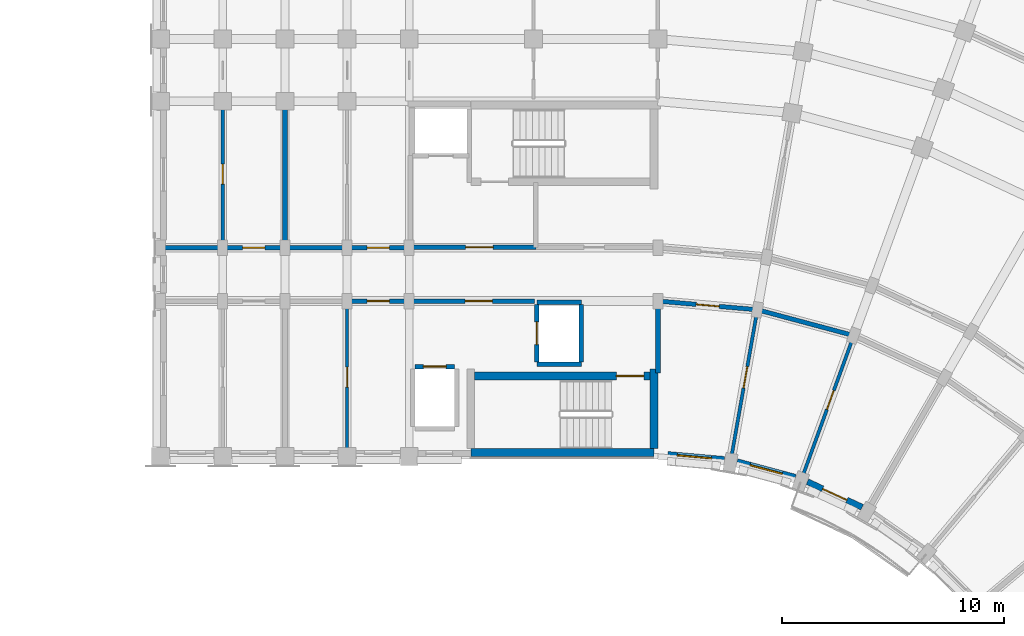
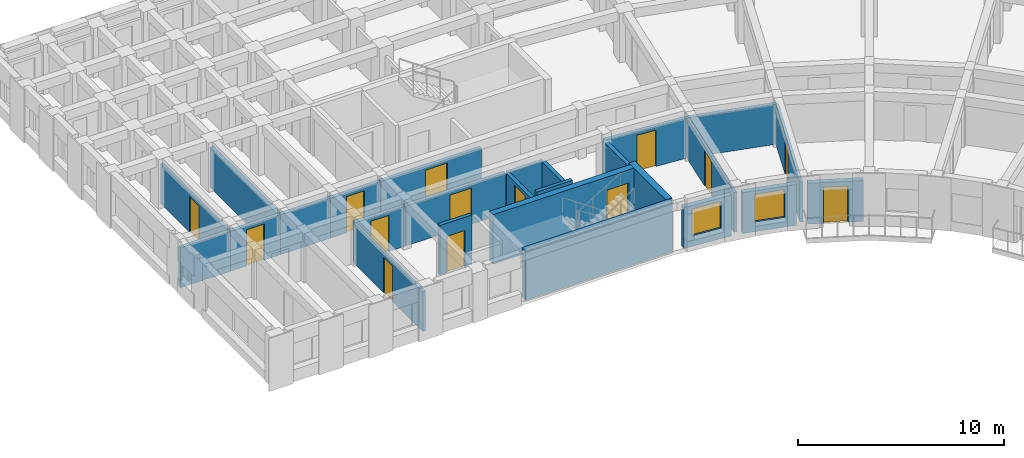
# One storey, part 29 of 54: 26 walls, 14 doors, 2 windows, 16 openings.
"""IFC4 building model written with IfcOpenShell, lengths in metres."""

from ifc_helpers import new_model, si_unit, direction, frame, frame_2d, origin, place, context, subcontext, project, spatial, rectangle, extrude, material, layer, layer_set, type_object, element, fill, save


model = new_model("IFC4")

# Units and contexts
model_context = context("Model", 3, precision=1e-05, world=origin(), true_north=direction((0.0, 1.0)))
body_context = subcontext(model_context, "Body", "Model", "MODEL_VIEW")
ifc_project = project(units=[si_unit("LENGTHUNIT", "METRE"), si_unit("AREAUNIT", "SQUARE_METRE"), si_unit("VOLUMEUNIT", "CUBIC_METRE"), si_unit("PLANEANGLEUNIT", "RADIAN"), si_unit("MASSUNIT", "GRAM", prefix="KILO")], contexts=[model_context])

# Site, building, storey
site_placement = place(None, origin())
site = spatial("IfcSite", under=ifc_project, at=site_placement, CompositionType="ELEMENT")
building_placement = place(site_placement, origin())
building = spatial("IfcBuilding", under=site, at=building_placement, Name="Kiranvali Square Residences", CompositionType="ELEMENT")
storey_placement = place(building_placement, frame((0.0, 0.0, 11.85009765625)))
storey = spatial("IfcBuildingStorey", under=building, at=storey_placement, Name="L03", CompositionType="ELEMENT", Elevation=11.85009765625)

# Wall, opening, door
ifc_material_1 = material(Name="Autoclaved aerated concrete blockwork masonry", Category="masonry")
ifc_layer_1 = layer(ifc_material_1, 0.199951171875)
ifc_layer_set_1 = layer_set([ifc_layer_1], Name="Autoclaved aerated concrete blockwork masonry")
wall_type_1 = type_object("IfcWallType", Name="WL-COR-200", PredefinedType="STANDARD", material=ifc_layer_set_1)
wall_1_placement = place(storey_placement, frame((114.25, 113.60009765625, 0.0), z_axis=(0.0, 0.0, 1.0), x_axis=(-1.0, 0.0, 0.0)))
wall_1 = element("IfcWall", 1, at=wall_1_placement, inside=storey, type_object=wall_type_1, Name="L03 architectural wall WL-L03-B-LL-COR", PredefinedType="STANDARD", context=body_context, shape_type="SweptSolid", body=[
    extrude(rectangle(XDim=5.60009765625, YDim=0.199951171875, at=frame_2d((2.800048828125, 0.0))), origin(), (0.0, 0.0, 1.0), 2.371826171875),
])
opening_1_placement = place(wall_1_placement, frame((1.909912109375, 0.0, 0.0)))
opening_1 = element("IfcOpeningElement", 2, at=opening_1_placement, cuts=wall_1, Name="Opening FD-COR-60", PredefinedType="OPENING", context=body_context, shape_type="SweptSolid", body=[
    extrude(rectangle(XDim=1.219970703125, YDim=2.14990234375, at=frame_2d((0.60986328125, 1.074951171875))), frame((0.0, 0.10986328125, 0.0), z_axis=(0.0, -1.0, 0.0), x_axis=(1.0, 0.0, 0.0)), (0.0, 0.0, 1.0), 0.219970703125),
])
ifc_material_2 = material(Name="Fire-rated acoustic hardwood and mineral-core door assembly", Category="wood")
door_type_1 = type_object("IfcDoorType", Name="DR-FD60-1200", OperationType="NOTDEFINED", PredefinedType="DOOR", material=ifc_material_2)
door_1_placement = place(opening_1_placement, frame((1.219970703125, 0.0, 0.0), z_axis=(0.0, 0.0, 1.0), x_axis=(-1.0, 0.0, 0.0)))
door_1 = element("IfcDoor", 3, at=door_1_placement, inside=storey, type_object=door_type_1, Name="L03 door DR-L03-1136 (DR-FD60-1200)", OperationType="SINGLE_SWING_RIGHT", OverallHeight=2.14990234375, OverallWidth=1.219970703125, PredefinedType="DOOR", context=body_context, shape_type="SweptSolid", body=[
    extrude(rectangle(XDim=1.219970703125, YDim=2.14990234375, at=frame_2d((0.60986328125, 1.074951171875))), frame((0.0, 0.02490234375, 0.0), z_axis=(0.0, -1.0, 0.0), x_axis=(1.0, 0.0, 0.0)), (0.0, 0.0, 1.0), 0.050048828125),
])
fill(opening_1, door_1)

wall_2_placement = place(storey_placement, frame((108.60009765625, 113.60009765625, 0.0), z_axis=(0.0, 0.0, 1.0), x_axis=(-1.0, 0.0, 0.0)))
wall_2 = element("IfcWall", 4, at=wall_2_placement, inside=storey, type_object=wall_type_1, Name="L03 architectural wall WL-L03-B-A1CI-0", PredefinedType="STANDARD", context=body_context, shape_type="SweptSolid", body=[
    extrude(rectangle(XDim=2.800048828125, YDim=0.199951171875, at=frame_2d((1.39990234375, 0.0))), origin(), (0.0, 0.0, 1.0), 2.371826171875),
])
opening_2_placement = place(wall_2_placement, frame((0.89990234375, 0.0, 0.0)))
opening_2 = element("IfcOpeningElement", 5, at=opening_2_placement, cuts=wall_2, Name="Opening FD-APT-60", PredefinedType="OPENING", context=body_context, shape_type="SweptSolid", body=[
    extrude(rectangle(XDim=1.0, YDim=2.14990234375, at=frame_2d((0.5, 1.074951171875))), frame((0.0, 0.10986328125, 0.0), z_axis=(0.0, -1.0, 0.0), x_axis=(1.0, 0.0, 0.0)), (0.0, 0.0, 1.0), 0.219970703125),
])
door_type_2 = type_object("IfcDoorType", Name="DR-APT-1000", OperationType="NOTDEFINED", PredefinedType="DOOR", material=ifc_material_2)
door_2_placement = place(opening_2_placement, frame((1.0, 0.0, 0.0), z_axis=(0.0, 0.0, 1.0), x_axis=(-1.0, 0.0, 0.0)))
door_2 = element("IfcDoor", 6, at=door_2_placement, inside=storey, type_object=door_type_2, Name="L03 door DR-L03-1140 (DR-APT-1000)", OperationType="SINGLE_SWING_RIGHT", OverallHeight=2.14990234375, OverallWidth=1.0, PredefinedType="DOOR", context=body_context, shape_type="SweptSolid", body=[
    extrude(rectangle(XDim=1.0, YDim=2.14990234375, at=frame_2d((0.5, 1.074951171875))), frame((0.0, 0.02490234375, 0.0), z_axis=(0.0, -1.0, 0.0), x_axis=(1.0, 0.0, 0.0)), (0.0, 0.0, 1.0), 0.050048828125),
])
fill(opening_2, door_2)

wall_3_placement = place(storey_placement, frame((108.60009765625, 116.0, 0.0), z_axis=(0.0, 0.0, 1.0), x_axis=(-1.0, 0.0, 0.0)))
wall_3 = element("IfcWall", 7, at=wall_3_placement, inside=storey, type_object=wall_type_1, Name="L03 architectural wall WL-L03-B-A1CO-0", PredefinedType="STANDARD", context=body_context, shape_type="SweptSolid", body=[
    extrude(rectangle(XDim=2.800048828125, YDim=0.199951171875, at=frame_2d((1.39990234375, 0.0))), origin(), (0.0, 0.0, 1.0), 2.371826171875),
])
opening_3_placement = place(wall_3_placement, frame((0.89990234375, 0.0, 0.0)))
opening_3 = element("IfcOpeningElement", 8, at=opening_3_placement, cuts=wall_3, Name="Opening FD-APT-60", PredefinedType="OPENING", context=body_context, shape_type="SweptSolid", body=[
    extrude(rectangle(XDim=1.0, YDim=2.14990234375, at=frame_2d((0.5, 1.074951171875))), frame((0.0, 0.10986328125, 0.0), z_axis=(0.0, -1.0, 0.0), x_axis=(1.0, 0.0, 0.0)), (0.0, 0.0, 1.0), 0.219970703125),
])
door_3_placement = place(opening_3_placement, frame((1.0, 0.0, 0.0), z_axis=(0.0, 0.0, 1.0), x_axis=(-1.0, 0.0, 0.0)))
door_3 = element("IfcDoor", 9, at=door_3_placement, inside=storey, type_object=door_type_2, Name="L03 door DR-L03-1142 (DR-APT-1000)", OperationType="SINGLE_SWING_RIGHT", OverallHeight=2.14990234375, OverallWidth=1.0, PredefinedType="DOOR", context=body_context, shape_type="SweptSolid", body=[
    extrude(rectangle(XDim=1.0, YDim=2.14990234375, at=frame_2d((0.5, 1.074951171875))), frame((0.0, 0.02490234375, 0.0), z_axis=(0.0, -1.0, 0.0), x_axis=(1.0, 0.0, 0.0)), (0.0, 0.0, 1.0), 0.050048828125),
])
fill(opening_3, door_3)

# Wall
wall_4_placement = place(storey_placement, frame((105.800048828125, 116.0, 0.0), z_axis=(0.0, 0.0, 1.0), x_axis=(-1.0, 0.0, 0.0)))
element("IfcWall", 10, at=wall_4_placement, inside=storey, type_object=wall_type_1, Name="L03 architectural wall WL-L03-B-A1CO-1", PredefinedType="STANDARD", context=body_context, shape_type="SweptSolid", body=[
    extrude(rectangle(XDim=2.800048828125, YDim=0.199951171875, at=frame_2d((1.39990234375, 0.0))), origin(), (0.0, 0.0, 1.0), 2.371826171875),
])

# Wall, opening, door
wall_5_placement = place(storey_placement, frame((103.0, 116.0, 0.0), z_axis=(0.0, 0.0, 1.0), x_axis=(-1.0, 0.0, 0.0)))
wall_5 = element("IfcWall", 11, at=wall_5_placement, inside=storey, type_object=wall_type_1, Name="L03 architectural wall WL-L03-B-A1CO-2", PredefinedType="STANDARD", context=body_context, shape_type="SweptSolid", body=[
    extrude(rectangle(XDim=2.800048828125, YDim=0.199951171875, at=frame_2d((1.39990234375, 0.0))), origin(), (0.0, 0.0, 1.0), 2.371826171875),
])
opening_4_placement = place(wall_5_placement, frame((0.89990234375, 0.0, 0.0)))
opening_4 = element("IfcOpeningElement", 12, at=opening_4_placement, cuts=wall_5, Name="Opening FD-APT-60", PredefinedType="OPENING", context=body_context, shape_type="SweptSolid", body=[
    extrude(rectangle(XDim=1.0, YDim=2.14990234375, at=frame_2d((0.5, 1.074951171875))), frame((0.0, 0.10986328125, 0.0), z_axis=(0.0, -1.0, 0.0), x_axis=(1.0, 0.0, 0.0)), (0.0, 0.0, 1.0), 0.219970703125),
])
door_4_placement = place(opening_4_placement, frame((1.0, 0.0, 0.0), z_axis=(0.0, 0.0, 1.0), x_axis=(-1.0, 0.0, 0.0)))
door_4 = element("IfcDoor", 13, at=door_4_placement, inside=storey, type_object=door_type_2, Name="L03 door DR-L03-1146 (DR-APT-1000)", OperationType="SINGLE_SWING_RIGHT", OverallHeight=2.14990234375, OverallWidth=1.0, PredefinedType="DOOR", context=body_context, shape_type="SweptSolid", body=[
    extrude(rectangle(XDim=1.0, YDim=2.14990234375, at=frame_2d((0.5, 1.074951171875))), frame((0.0, 0.02490234375, 0.0), z_axis=(0.0, -1.0, 0.0), x_axis=(1.0, 0.0, 0.0)), (0.0, 0.0, 1.0), 0.050048828125),
])
fill(opening_4, door_4)

# Wall
wall_6_placement = place(storey_placement, frame((100.199951171875, 116.0, 0.0), z_axis=(0.0, 0.0, 1.0), x_axis=(-1.0, 0.0, 0.0)))
element("IfcWall", 14, at=wall_6_placement, inside=storey, type_object=wall_type_1, Name="L03 architectural wall WL-L03-B-A1CO-3", PredefinedType="STANDARD", context=body_context, shape_type="SweptSolid", body=[
    extrude(rectangle(XDim=2.800048828125, YDim=0.199951171875, at=frame_2d((1.39990234375, 0.0))), origin(), (0.0, 0.0, 1.0), 2.371826171875),
])

# Wall, opening, door
wall_7_placement = place(storey_placement, frame((119.800048828125, 113.60009765625, 0.0), z_axis=(0.0, 0.0, 1.0), x_axis=(0.996191949488, -0.087187153726, 0.0)))
wall_7 = element("IfcWall", 15, at=wall_7_placement, inside=storey, type_object=wall_type_1, Name="L03 architectural wall WL-L03-B-CCI-0", PredefinedType="STANDARD", context=body_context, shape_type="SweptSolid", body=[
    extrude(rectangle(XDim=4.4970703125, YDim=0.199951171875, at=frame_2d((2.24853515625, 0.0))), origin(), (0.0, 0.0, 1.0), 2.371826171875),
])
opening_5_placement = place(wall_7_placement, frame((1.728515625, 0.0, 0.0)))
opening_5 = element("IfcOpeningElement", 16, at=opening_5_placement, cuts=wall_7, Name="Opening FD-APT-60B", PredefinedType="OPENING", context=body_context, shape_type="SweptSolid", body=[
    extrude(rectangle(XDim=1.0400390625, YDim=2.14990234375, at=frame_2d((0.52001953125, 1.074951171875))), frame((0.0, 0.10986328125, 0.0), z_axis=(0.0, -1.0, 0.0), x_axis=(1.0, 0.0, 0.0)), (0.0, 0.0, 1.0), 0.219970703125),
])
door_type_3 = type_object("IfcDoorType", Name="DR-APT-1040", OperationType="NOTDEFINED", PredefinedType="DOOR", material=ifc_material_2)
door_5_placement = place(opening_5_placement, origin())
door_5 = element("IfcDoor", 17, at=door_5_placement, inside=storey, type_object=door_type_3, Name="L03 door DR-L03-1175 (DR-APT-1040)", OperationType="SINGLE_SWING_LEFT", OverallHeight=2.14990234375, OverallWidth=1.0400390625, PredefinedType="DOOR", context=body_context, shape_type="SweptSolid", body=[
    extrude(rectangle(XDim=1.0400390625, YDim=2.14990234375, at=frame_2d((0.52001953125, 1.074951171875))), frame((0.0, 0.02490234375, 0.0), z_axis=(0.0, -1.0, 0.0), x_axis=(1.0, 0.0, 0.0)), (0.0, 0.0, 1.0), 0.050048828125),
])
fill(opening_5, door_5)

# Walls
wall_8_placement = place(storey_placement, frame((124.280029296875, 113.2080078125, 0.0), z_axis=(0.0, 0.0, 1.0), x_axis=(0.965934240054, -0.258787642463, 0.0)))
element("IfcWall", 18, at=wall_8_placement, inside=storey, type_object=wall_type_1, Name="L03 architectural wall WL-L03-B-CCI-1", PredefinedType="STANDARD", context=body_context, shape_type="SweptSolid", body=[
    extrude(rectangle(XDim=4.497314453125, YDim=0.199951171875, at=frame_2d((2.24853515625, 0.0))), origin(), (0.0, 0.0, 1.0), 2.371826171875),
])
ifc_layer_2 = layer(ifc_material_1, 0.219970703125)
ifc_layer_set_2 = layer_set([ifc_layer_2], Name="Autoclaved aerated concrete blockwork masonry")
wall_type_2 = type_object("IfcWallType", Name="WL-DEM-220", PredefinedType="STANDARD", material=ifc_layer_set_2)
wall_9_placement = place(storey_placement, frame((103.0, 116.050048828125, 0.0), z_axis=(0.0, 0.0, 1.0), x_axis=(0.0, 1.0, 0.0)))
element("IfcWall", 19, at=wall_9_placement, inside=storey, type_object=wall_type_2, Name="L03 architectural wall WL-L03-B-A1TO1-2", PredefinedType="STANDARD", context=body_context, shape_type="SweptSolid", body=[
    extrude(rectangle(XDim=6.530029296875, YDim=0.219970703125, at=frame_2d((3.26513671875, 0.0))), origin(), (0.0, 0.0, 1.0), 2.371826171875),
])
wall_10_placement = place(storey_placement, frame((119.800048828125, 110.35009765625, 0.0), z_axis=(0.0, 0.0, 1.0), x_axis=(0.0, 1.0, 0.0)))
element("IfcWall", 20, at=wall_10_placement, inside=storey, type_object=wall_type_2, Name="L03 architectural wall WL-L03-B-RADI-0", PredefinedType="STANDARD", context=body_context, shape_type="SweptSolid", body=[
    extrude(rectangle(XDim=3.199951171875, YDim=0.219970703125, at=frame_2d((1.60009765625, 0.0))), origin(), (0.0, 0.0, 1.0), 2.371826171875),
])

# Wall, opening, window
ifc_material_3 = material(Name="Breathable lime-rendered clay brick masonry", Category="masonry")
ifc_layer_3 = layer(ifc_material_3, 0.27490234375)
ifc_layer_set_3 = layer_set([ifc_layer_3], Name="Breathable lime-rendered clay brick masonry")
wall_type_3 = type_object("IfcWallType", Name="WL-EXT-275", PredefinedType="STANDARD", material=ifc_layer_set_3)
wall_11_placement = place(storey_placement, frame((120.249267578125, 106.686279296875, 0.0), z_axis=(0.0, 0.0, 1.0), x_axis=(0.996194235595, -0.08716102895, 0.0)))
wall_11 = element("IfcWall", 21, at=wall_11_placement, inside=storey, type_object=wall_type_3, Name="L03 exterior wall B-L03-GDN-00", PredefinedType="STANDARD", context=body_context, shape_type="SweptSolid", body=[
    extrude(rectangle(XDim=2.557373046875, YDim=0.27490234375, at=frame_2d((1.27880859375, 0.0))), origin(), (0.0, 0.0, 1.0), 2.421875),
])
opening_6_placement = place(wall_11_placement, frame((0.423583984375, 0.0, 0.6220703125)))
opening_6 = element("IfcOpeningElement", 22, at=opening_6_placement, cuts=wall_11, Name="Opening W-18", PredefinedType="OPENING", context=body_context, shape_type="SweptSolid", body=[
    extrude(rectangle(XDim=1.550048828125, YDim=1.60009765625, at=frame_2d((0.77490234375, 0.800048828125))), frame((0.0, 0.1474609375, 0.0), z_axis=(0.0, -1.0, 0.0), x_axis=(1.0, 0.0, 0.0)), (0.0, 0.0, 1.0), 0.294921875),
])
ifc_material_4 = material(Name="Solar-control low-e double glazing", Category="glass")
window_type_1 = type_object("IfcWindowType", Name="WIN-GDN-1550x1600", PartitioningType="DOUBLE_PANEL_VERTICAL", PredefinedType="WINDOW", material=ifc_material_4)
window_1_placement = place(opening_6_placement, origin())
window_1 = element("IfcWindow", 23, at=window_1_placement, inside=storey, type_object=window_type_1, Name="L03 recessed window B-L03-GDN-00", OverallHeight=1.60009765625, OverallWidth=1.550048828125, PartitioningType="DOUBLE_PANEL_VERTICAL", PredefinedType="WINDOW", context=body_context, shape_type="SweptSolid", body=[
    extrude(rectangle(XDim=1.550048828125, YDim=1.60009765625, at=frame_2d((0.77490234375, 0.800048828125))), frame((0.0, 0.030029296875, 0.0), z_axis=(0.0, -1.0, 0.0), x_axis=(1.0, 0.0, 0.0)), (0.0, 0.0, 1.0), 0.06005859375),
])
fill(opening_6, window_1)

wall_12_placement = place(storey_placement, frame((123.3671875, 106.36279296875, 0.0), z_axis=(0.0, 0.0, 1.0), x_axis=(0.965925595341, -0.258819907011, 0.0)))
wall_12 = element("IfcWall", 24, at=wall_12_placement, inside=storey, type_object=wall_type_3, Name="L03 exterior wall B-L03-GDN-01", PredefinedType="STANDARD", context=body_context, shape_type="SweptSolid", body=[
    extrude(rectangle(XDim=2.717529296875, YDim=0.27490234375, at=frame_2d((1.35888671875, 0.0))), origin(), (0.0, 0.0, 1.0), 2.421875),
])
opening_7_placement = place(wall_12_placement, frame((0.608642578125, 0.0, 0.572021484375)))
opening_7 = element("IfcOpeningElement", 25, at=opening_7_placement, cuts=wall_12, Name="Opening W-05", PredefinedType="OPENING", context=body_context, shape_type="SweptSolid", body=[
    extrude(rectangle(XDim=1.5, YDim=1.64990234375, at=frame_2d((0.75, 0.824951171875))), frame((0.0, 0.1474609375, 0.0), z_axis=(0.0, -1.0, 0.0), x_axis=(1.0, 0.0, 0.0)), (0.0, 0.0, 1.0), 0.294921875),
])
window_type_2 = type_object("IfcWindowType", Name="WIN-RES-1500x1650", PartitioningType="DOUBLE_PANEL_VERTICAL", PredefinedType="WINDOW", material=ifc_material_4)
window_2_placement = place(opening_7_placement, origin())
window_2 = element("IfcWindow", 26, at=window_2_placement, inside=storey, type_object=window_type_2, Name="L03 recessed window B-L03-GDN-01", OverallHeight=1.64990234375, OverallWidth=1.5, PartitioningType="DOUBLE_PANEL_VERTICAL", PredefinedType="WINDOW", context=body_context, shape_type="SweptSolid", body=[
    extrude(rectangle(XDim=1.5, YDim=1.64990234375, at=frame_2d((0.75, 0.824951171875))), frame((0.0, 0.030029296875, 0.0), z_axis=(0.0, -1.0, 0.0), x_axis=(1.0, 0.0, 0.0)), (0.0, 0.0, 1.0), 0.06005859375),
])
fill(opening_7, window_2)

# Wall, opening, door
wall_13_placement = place(storey_placement, frame((126.536376953125, 105.461181640625, 0.0), z_axis=(0.0, 0.0, 1.0), x_axis=(0.906311629168, -0.422610022166, 0.0)))
wall_13 = element("IfcWall", 27, at=wall_13_placement, inside=storey, type_object=wall_type_3, Name="L03 exterior wall B-L03-GDN-02", PredefinedType="STANDARD", context=body_context, shape_type="SweptSolid", body=[
    extrude(rectangle(XDim=2.717529296875, YDim=0.27490234375, at=frame_2d((1.35888671875, 0.0))), origin(), (0.0, 0.0, 1.0), 2.421875),
])
opening_8_placement = place(wall_13_placement, frame((0.7587890625, 0.0, 0.0)))
opening_8 = element("IfcOpeningElement", 28, at=opening_8_placement, cuts=wall_13, Name="Opening ED-BAL-1", PredefinedType="OPENING", context=body_context, shape_type="SweptSolid", body=[
    extrude(rectangle(XDim=1.199951171875, YDim=2.14990234375, at=frame_2d((0.60009765625, 1.074951171875))), frame((0.0, 0.1474609375, 0.0), z_axis=(0.0, -1.0, 0.0), x_axis=(1.0, 0.0, 0.0)), (0.0, 0.0, 1.0), 0.294921875),
])
ifc_material_5 = material(Name="Anodised bronze aluminium framing", Category="aluminium")
door_type_4 = type_object("IfcDoorType", Name="DR-BAL-1200", OperationType="NOTDEFINED", PredefinedType="DOOR", material=ifc_material_5)
door_6_placement = place(opening_8_placement, frame((1.199951171875, 0.0, 0.0), z_axis=(0.0, 0.0, 1.0), x_axis=(-1.0, 0.0, 0.0)))
door_6 = element("IfcDoor", 29, at=door_6_placement, inside=storey, type_object=door_type_4, Name="L03 balcony terrace door", OperationType="SINGLE_SWING_LEFT", OverallHeight=2.14990234375, OverallWidth=1.199951171875, PredefinedType="DOOR", context=body_context, shape_type="SweptSolid", body=[
    extrude(rectangle(XDim=1.199951171875, YDim=2.14990234375, at=frame_2d((0.60009765625, 1.074951171875))), frame((0.0, 0.02490234375, 0.0), z_axis=(0.0, -1.0, 0.0), x_axis=(1.0, 0.0, 0.0)), (0.0, 0.0, 1.0), 0.050048828125),
])
fill(opening_8, door_6)

ifc_layer_4 = layer(ifc_material_1, 0.199951171875)
ifc_layer_set_4 = layer_set([ifc_layer_4], Name="Autoclaved aerated concrete blockwork masonry")
wall_type_4 = type_object("IfcWallType", Name="WL-FFL-200", PredefinedType="STANDARD", material=ifc_layer_set_4)
wall_14_placement = place(storey_placement, frame((114.300048828125, 116.02001953125, 0.0), z_axis=(0.0, 0.0, 1.0), x_axis=(-1.0, 0.0, 0.0)))
wall_14 = element("IfcWall", 30, at=wall_14_placement, inside=storey, type_object=wall_type_4, Name="L03 architectural wall WL-L03-B-FF-COR", PredefinedType="STANDARD", context=body_context, shape_type="SweptSolid", body=[
    extrude(rectangle(XDim=5.650146484375, YDim=0.199951171875, at=frame_2d((2.8251953125, 0.0))), origin(), (0.0, 0.0, 1.0), 2.371826171875),
])
opening_9_placement = place(wall_14_placement, frame((1.922607421875, 0.0, 0.0)))
opening_9 = element("IfcOpeningElement", 31, at=opening_9_placement, cuts=wall_14, Name="Opening FD-ST-120", PredefinedType="OPENING", context=body_context, shape_type="SweptSolid", body=[
    extrude(rectangle(XDim=1.239990234375, YDim=2.14990234375, at=frame_2d((0.6201171875, 1.074951171875))), frame((0.0, 0.10986328125, 0.0), z_axis=(0.0, -1.0, 0.0), x_axis=(1.0, 0.0, 0.0)), (0.0, 0.0, 1.0), 0.219970703125),
])
door_type_5 = type_object("IfcDoorType", Name="DR-FD120-1200", OperationType="NOTDEFINED", PredefinedType="DOOR", material=ifc_material_2)
door_7_placement = place(opening_9_placement, frame((1.239990234375, 0.0, 0.0), z_axis=(0.0, 0.0, 1.0), x_axis=(-1.0, 0.0, 0.0)))
door_7 = element("IfcDoor", 32, at=door_7_placement, inside=storey, type_object=door_type_5, Name="L03 door DR-L03-1128 (DR-FD120-1200)", OperationType="SINGLE_SWING_RIGHT", OverallHeight=2.14990234375, OverallWidth=1.239990234375, PredefinedType="DOOR", context=body_context, shape_type="SweptSolid", body=[
    extrude(rectangle(XDim=1.239990234375, YDim=2.14990234375, at=frame_2d((0.6201171875, 1.074951171875))), frame((0.0, 0.02490234375, 0.0), z_axis=(0.0, -1.0, 0.0), x_axis=(1.0, 0.0, 0.0)), (0.0, 0.0, 1.0), 0.050048828125),
])
fill(opening_9, door_7)

ifc_material_6 = material(Name="Acoustic gypsum board drylined partition", Category="gypsum")
ifc_layer_5 = layer(ifc_material_6, 0.14990234375)
ifc_layer_set_5 = layer_set([ifc_layer_5], Name="Acoustic gypsum board drylined partition")
wall_type_5 = type_object("IfcWallType", Name="WL-PRT-150", PredefinedType="PARTITIONING", material=ifc_layer_set_5)
wall_15_placement = place(storey_placement, frame((105.800048828125, 106.800048828125, 0.0), z_axis=(0.0, 0.0, 1.0), x_axis=(0.0, 1.0, 0.0)))
wall_15 = element("IfcWall", 33, at=wall_15_placement, inside=storey, type_object=wall_type_5, Name="L03 architectural wall WL-L03-B-A1TI-1", PredefinedType="PARTITIONING", context=body_context, shape_type="SweptSolid", body=[
    extrude(rectangle(XDim=6.75, YDim=0.14990234375, at=frame_2d((3.375, 0.0))), origin(), (0.0, 0.0, 1.0), 2.371826171875),
])
opening_10_placement = place(wall_15_placement, frame((2.925048828125, 0.0, 0.0)))
opening_10 = element("IfcOpeningElement", 34, at=opening_10_placement, cuts=wall_15, Name="Opening ID-1", PredefinedType="OPENING", context=body_context, shape_type="SweptSolid", body=[
    extrude(rectangle(XDim=0.89990234375, YDim=2.10009765625, at=frame_2d((0.449951171875, 1.050048828125))), frame((0.0, 0.0849609375, 0.0), z_axis=(0.0, -1.0, 0.0), x_axis=(1.0, 0.0, 0.0)), (0.0, 0.0, 1.0), 0.169921875),
])
ifc_material_7 = material(Name="Solid seasoned teak hardwood joinery", Category="wood")
door_type_6 = type_object("IfcDoorType", Name="DR-INT-900", OperationType="NOTDEFINED", PredefinedType="DOOR", material=ifc_material_7)
door_8_placement = place(opening_10_placement, origin())
door_8 = element("IfcDoor", 35, at=door_8_placement, inside=storey, type_object=door_type_6, Name="L03 door DR-L03-1149 (DR-INT-900)", OperationType="SINGLE_SWING_LEFT", OverallHeight=2.10009765625, OverallWidth=0.89990234375, PredefinedType="DOOR", context=body_context, shape_type="SweptSolid", body=[
    extrude(rectangle(XDim=0.89990234375, YDim=2.10009765625, at=frame_2d((0.449951171875, 1.050048828125))), frame((0.0, 0.02490234375, 0.0), z_axis=(0.0, -1.0, 0.0), x_axis=(1.0, 0.0, 0.0)), (0.0, 0.0, 1.0), 0.050048828125),
])
fill(opening_10, door_8)

wall_16_placement = place(storey_placement, frame((100.199951171875, 116.050048828125, 0.0), z_axis=(0.0, 0.0, 1.0), x_axis=(0.0, 1.0, 0.0)))
wall_16 = element("IfcWall", 36, at=wall_16_placement, inside=storey, type_object=wall_type_5, Name="L03 architectural wall WL-L03-B-A1TO1-3", PredefinedType="PARTITIONING", context=body_context, shape_type="SweptSolid", body=[
    extrude(rectangle(XDim=6.530029296875, YDim=0.14990234375, at=frame_2d((3.26513671875, 0.0))), origin(), (0.0, 0.0, 1.0), 2.371826171875),
])
opening_11_placement = place(wall_16_placement, frame((2.81494140625, 0.0, 0.0)))
opening_11 = element("IfcOpeningElement", 37, at=opening_11_placement, cuts=wall_16, Name="Opening ID-1", PredefinedType="OPENING", context=body_context, shape_type="SweptSolid", body=[
    extrude(rectangle(XDim=0.89990234375, YDim=2.10009765625, at=frame_2d((0.449951171875, 1.050048828125))), frame((0.0, 0.0849609375, 0.0), z_axis=(0.0, -1.0, 0.0), x_axis=(1.0, 0.0, 0.0)), (0.0, 0.0, 1.0), 0.169921875),
])
door_9_placement = place(opening_11_placement, origin())
door_9 = element("IfcDoor", 38, at=door_9_placement, inside=storey, type_object=door_type_6, Name="L03 door DR-L03-1153 (DR-INT-900)", OperationType="SINGLE_SWING_LEFT", OverallHeight=2.10009765625, OverallWidth=0.89990234375, PredefinedType="DOOR", context=body_context, shape_type="SweptSolid", body=[
    extrude(rectangle(XDim=0.89990234375, YDim=2.10009765625, at=frame_2d((0.449951171875, 1.050048828125))), frame((0.0, 0.02490234375, 0.0), z_axis=(0.0, -1.0, 0.0), x_axis=(1.0, 0.0, 0.0)), (0.0, 0.0, 1.0), 0.050048828125),
])
fill(opening_11, door_9)

wall_17_placement = place(storey_placement, frame((123.099365234375, 106.51123046875, 0.0), z_axis=(0.0, 0.0, 1.0), x_axis=(0.173647089161, 0.984807944945, 0.0)))
wall_17 = element("IfcWall", 39, at=wall_17_placement, inside=storey, type_object=wall_type_5, Name="L03 architectural wall WL-L03-B-RADI-1", PredefinedType="PARTITIONING", context=body_context, shape_type="SweptSolid", body=[
    extrude(rectangle(XDim=6.75, YDim=0.14990234375, at=frame_2d((3.375, 0.0))), origin(), (0.0, 0.0, 1.0), 2.371826171875),
])
opening_12_placement = place(wall_17_placement, frame((3.222412109375, 0.0, 0.0)))
opening_12 = element("IfcOpeningElement", 40, at=opening_12_placement, cuts=wall_17, Name="Opening ID-3", PredefinedType="OPENING", context=body_context, shape_type="SweptSolid", body=[
    extrude(rectangle(XDim=0.97998046875, YDim=2.1201171875, at=frame_2d((0.489990234375, 1.06005859375))), frame((0.0, 0.0849609375, 0.0), z_axis=(0.0, -1.0, 0.0), x_axis=(1.0, 0.0, 0.0)), (0.0, 0.0, 1.0), 0.169921875),
])
door_type_7 = type_object("IfcDoorType", Name="DR-INT-980", OperationType="NOTDEFINED", PredefinedType="DOOR", material=ifc_material_7)
door_10_placement = place(opening_12_placement, frame((0.97998046875, 0.0, 0.0), z_axis=(0.0, 0.0, 1.0), x_axis=(-1.0, 0.0, 0.0)))
door_10 = element("IfcDoor", 41, at=door_10_placement, inside=storey, type_object=door_type_7, Name="L03 door DR-L03-1156 (DR-INT-980)", OperationType="SINGLE_SWING_RIGHT", OverallHeight=2.1201171875, OverallWidth=0.97998046875, PredefinedType="DOOR", context=body_context, shape_type="SweptSolid", body=[
    extrude(rectangle(XDim=0.97998046875, YDim=2.1201171875, at=frame_2d((0.489990234375, 1.06005859375))), frame((0.0, 0.02490234375, 0.0), z_axis=(0.0, -1.0, 0.0), x_axis=(1.0, 0.0, 0.0)), (0.0, 0.0, 1.0), 0.050048828125),
])
fill(opening_12, door_10)

wall_18_placement = place(storey_placement, frame((126.29833984375, 105.654052734375, 0.0), z_axis=(0.0, 0.0, 1.0), x_axis=(0.342010221662, 0.939696231917, 0.0)))
wall_18 = element("IfcWall", 42, at=wall_18_placement, inside=storey, type_object=wall_type_5, Name="L03 architectural wall WL-L03-B-RADI-2", PredefinedType="PARTITIONING", context=body_context, shape_type="SweptSolid", body=[
    extrude(rectangle(XDim=6.75, YDim=0.14990234375, at=frame_2d((3.375, 0.0))), origin(), (0.0, 0.0, 1.0), 2.371826171875),
])
opening_13_placement = place(wall_18_placement, frame((3.262451171875, 0.0, 0.0)))
opening_13 = element("IfcOpeningElement", 43, at=opening_13_placement, cuts=wall_18, Name="Opening ID-1", PredefinedType="OPENING", context=body_context, shape_type="SweptSolid", body=[
    extrude(rectangle(XDim=0.89990234375, YDim=2.10009765625, at=frame_2d((0.449951171875, 1.050048828125))), frame((0.0, 0.0849609375, 0.0), z_axis=(0.0, -1.0, 0.0), x_axis=(1.0, 0.0, 0.0)), (0.0, 0.0, 1.0), 0.169921875),
])
door_11_placement = place(opening_13_placement, frame((0.89990234375, 0.0, 0.0), z_axis=(0.0, 0.0, 1.0), x_axis=(-1.0, 0.0, 0.0)))
door_11 = element("IfcDoor", 44, at=door_11_placement, inside=storey, type_object=door_type_6, Name="L03 door DR-L03-1158 (DR-INT-900)", OperationType="SINGLE_SWING_RIGHT", OverallHeight=2.10009765625, OverallWidth=0.89990234375, PredefinedType="DOOR", context=body_context, shape_type="SweptSolid", body=[
    extrude(rectangle(XDim=0.89990234375, YDim=2.10009765625, at=frame_2d((0.449951171875, 1.050048828125))), frame((0.0, 0.02490234375, 0.0), z_axis=(0.0, -1.0, 0.0), x_axis=(1.0, 0.0, 0.0)), (0.0, 0.0, 1.0), 0.050048828125),
])
fill(opening_13, door_11)

ifc_layer_6 = layer(ifc_material_1, 0.199951171875)
ifc_layer_set_6 = layer_set([ifc_layer_6], Name="Autoclaved aerated concrete blockwork masonry")
wall_type_6 = type_object("IfcWallType", Name="WL-SHF-200", PredefinedType="STANDARD", material=ifc_layer_set_6)
wall_19_placement = place(storey_placement, frame((110.64990234375, 110.64990234375, 0.0), z_axis=(0.0, 0.0, 1.0), x_axis=(-1.0, 0.0, 0.0)))
wall_19 = element("IfcWall", 45, at=wall_19_placement, inside=storey, type_object=wall_type_6, Name="L03 architectural wall WL-L03-B-LP1-F", PredefinedType="STANDARD", context=body_context, shape_type="SweptSolid", body=[
    extrude(rectangle(XDim=1.7998046875, YDim=0.199951171875, at=frame_2d((0.89990234375, 0.0))), origin(), (0.0, 0.0, 1.0), 2.929931640625),
])
opening_14_placement = place(wall_19_placement, frame((0.389892578125, 0.0, 0.0)))
opening_14 = element("IfcOpeningElement", 46, at=opening_14_placement, cuts=wall_19, Name="Opening LD-PAX-100", PredefinedType="OPENING", context=body_context, shape_type="SweptSolid", body=[
    extrude(rectangle(XDim=1.02001953125, YDim=2.14990234375, at=frame_2d((0.510009765625, 1.074951171875))), frame((0.0, 0.10986328125, 0.0), z_axis=(0.0, -1.0, 0.0), x_axis=(1.0, 0.0, 0.0)), (0.0, 0.0, 1.0), 0.219970703125),
])
door_type_8 = type_object("IfcDoorType", Name="DR-LIFT-1000", OperationType="SLIDING_TO_RIGHT", PredefinedType="DOOR", material=ifc_material_2)
door_12_placement = place(opening_14_placement, origin())
door_12 = element("IfcDoor", 47, at=door_12_placement, inside=storey, type_object=door_type_8, Name="L03 door DR-L03-1134 (DR-LIFT-1000)", OperationType="SLIDING_TO_RIGHT", OverallHeight=2.14990234375, OverallWidth=1.02001953125, PredefinedType="DOOR", context=body_context, shape_type="SweptSolid", body=[
    extrude(rectangle(XDim=1.02001953125, YDim=2.14990234375, at=frame_2d((0.510009765625, 1.074951171875))), frame((0.0, 0.02490234375, 0.0), z_axis=(0.0, -1.0, 0.0), x_axis=(1.0, 0.0, 0.0)), (0.0, 0.0, 1.0), 0.050048828125),
])
fill(opening_14, door_12)

# Walls
wall_20_placement = place(storey_placement, frame((116.35009765625, 110.75, 0.0), z_axis=(0.0, 0.0, 1.0), x_axis=(-1.0, 0.0, 0.0)))
element("IfcWall", 48, at=wall_20_placement, inside=storey, type_object=wall_type_6, Name="L03 architectural wall WL-L03-B-LP2-S0", PredefinedType="STANDARD", context=body_context, shape_type="SweptSolid", body=[
    extrude(rectangle(XDim=2.0, YDim=0.199951171875, at=frame_2d((1.0, 0.0))), origin(), (0.0, 0.0, 1.0), 2.929931640625),
])
wall_21_placement = place(storey_placement, frame((116.35009765625, 113.550048828125, 0.0), z_axis=(0.0, 0.0, 1.0), x_axis=(-1.0, 0.0, 0.0)))
element("IfcWall", 49, at=wall_21_placement, inside=storey, type_object=wall_type_6, Name="L03 architectural wall WL-L03-B-LP2-B", PredefinedType="STANDARD", context=body_context, shape_type="SweptSolid", body=[
    extrude(rectangle(XDim=2.0, YDim=0.199951171875, at=frame_2d((1.0, 0.0))), origin(), (0.0, 0.0, 1.0), 2.371826171875),
])
wall_22_placement = place(storey_placement, frame((116.35009765625, 110.85009765625, 0.0), z_axis=(0.0, 0.0, 1.0), x_axis=(0.0, 1.0, 0.0)))
element("IfcWall", 50, at=wall_22_placement, inside=storey, type_object=wall_type_6, Name="L03 architectural wall WL-L03-B-LP2-S1", PredefinedType="STANDARD", context=body_context, shape_type="SweptSolid", body=[
    extrude(rectangle(XDim=2.599853515625, YDim=0.199951171875, at=frame_2d((1.2998046875, 0.0))), origin(), (0.0, 0.0, 1.0), 2.371826171875),
])

# Wall, opening, door
wall_23_placement = place(storey_placement, frame((114.35009765625, 110.85009765625, 0.0), z_axis=(0.0, 0.0, 1.0), x_axis=(0.0, 1.0, 0.0)))
wall_23 = element("IfcWall", 51, at=wall_23_placement, inside=storey, type_object=wall_type_6, Name="L03 architectural wall WL-L03-B-LP2-F", PredefinedType="STANDARD", context=body_context, shape_type="SweptSolid", body=[
    extrude(rectangle(XDim=2.599853515625, YDim=0.199951171875, at=frame_2d((1.2998046875, 0.0))), origin(), (0.0, 0.0, 1.0), 2.371826171875),
])
opening_15_placement = place(wall_23_placement, frame((0.7900390625, 0.0, 0.0)))
opening_15 = element("IfcOpeningElement", 52, at=opening_15_placement, cuts=wall_23, Name="Opening LD-PAX-100", PredefinedType="OPENING", context=body_context, shape_type="SweptSolid", body=[
    extrude(rectangle(XDim=1.02001953125, YDim=2.14990234375, at=frame_2d((0.510009765625, 1.074951171875))), frame((0.0, 0.10986328125, 0.0), z_axis=(0.0, -1.0, 0.0), x_axis=(1.0, 0.0, 0.0)), (0.0, 0.0, 1.0), 0.219970703125),
])
door_13_placement = place(opening_15_placement, origin())
door_13 = element("IfcDoor", 53, at=door_13_placement, inside=storey, type_object=door_type_8, Name="L03 door DR-L03-1135 (DR-LIFT-1000)", OperationType="SLIDING_TO_RIGHT", OverallHeight=2.14990234375, OverallWidth=1.02001953125, PredefinedType="DOOR", context=body_context, shape_type="SweptSolid", body=[
    extrude(rectangle(XDim=1.02001953125, YDim=2.14990234375, at=frame_2d((0.510009765625, 1.074951171875))), frame((0.0, 0.02490234375, 0.0), z_axis=(0.0, -1.0, 0.0), x_axis=(1.0, 0.0, 0.0)), (0.0, 0.0, 1.0), 0.050048828125),
])
fill(opening_15, door_13)

# Wall
ifc_material_8 = material(Name="Concrete M50 (50 MPa)", Category="concrete")
ifc_layer_7 = layer(ifc_material_8, 0.35009765625)
ifc_layer_set_7 = layer_set([ifc_layer_7], Name="Concrete M50 (50 MPa)")
wall_type_7 = type_object("IfcWallType", Name="WL-SHR-350", PredefinedType="SHEAR", material=ifc_layer_set_7)
wall_24_placement = place(storey_placement, frame((119.625, 106.77490234375, 0.0), z_axis=(0.0, 0.0, 1.0), x_axis=(-1.0, 0.0, 0.0)))
element("IfcWall", 54, at=wall_24_placement, inside=storey, type_object=wall_type_7, Name="Block B core shear wall SW-B2-OUT-L03", PredefinedType="SHEAR", context=body_context, shape_type="SweptSolid", body=[
    extrude(rectangle(XDim=8.25, YDim=0.35009765625, at=frame_2d((4.125, 0.0))), origin(), (0.0, 0.0, 1.0), 2.929931640625),
])

# Wall, opening, door
wall_25_placement = place(storey_placement, frame((119.449951171875, 110.22509765625, 0.0), z_axis=(0.0, 0.0, 1.0), x_axis=(-1.0, 0.0, 0.0)))
wall_25 = element("IfcWall", 55, at=wall_25_placement, inside=storey, type_object=wall_type_7, Name="Block B core shear wall SW-B2-IN-L03", PredefinedType="SHEAR", context=body_context, shape_type="SweptSolid", body=[
    extrude(rectangle(XDim=7.89990234375, YDim=0.35009765625, at=frame_2d((3.949951171875, 0.0))), origin(), (0.0, 0.0, 1.0), 2.929931640625),
])
opening_16_placement = place(wall_25_placement, frame((0.280029296875, 0.0, 0.0)))
opening_16 = element("IfcOpeningElement", 56, at=opening_16_placement, cuts=wall_25, Name="Opening FD-ST-120", PredefinedType="OPENING", context=body_context, shape_type="SweptSolid", body=[
    extrude(rectangle(XDim=1.239990234375, YDim=2.14990234375, at=frame_2d((0.6201171875, 1.074951171875))), frame((0.0, 0.18505859375, 0.0), z_axis=(0.0, -1.0, 0.0), x_axis=(1.0, 0.0, 0.0)), (0.0, 0.0, 1.0), 0.3701171875),
])
door_14_placement = place(opening_16_placement, origin())
door_14 = element("IfcDoor", 57, at=door_14_placement, inside=storey, type_object=door_type_5, Name="L03 door DR-L03-1132 (DR-FD120-1200)", OperationType="SINGLE_SWING_RIGHT", OverallHeight=2.14990234375, OverallWidth=1.239990234375, PredefinedType="DOOR", context=body_context, shape_type="SweptSolid", body=[
    extrude(rectangle(XDim=1.239990234375, YDim=2.14990234375, at=frame_2d((0.6201171875, 1.074951171875))), frame((0.0, 0.02490234375, 0.0), z_axis=(0.0, -1.0, 0.0), x_axis=(1.0, 0.0, 0.0)), (0.0, 0.0, 1.0), 0.050048828125),
])
fill(opening_16, door_14)

# Wall
wall_26_placement = place(storey_placement, frame((119.625, 106.949951171875, 0.0), z_axis=(0.0, 0.0, 1.0), x_axis=(0.0, 1.0, 0.0)))
element("IfcWall", 58, at=wall_26_placement, inside=storey, type_object=wall_type_7, Name="Block B core shear wall SW-B2-NEAR-L03", PredefinedType="SHEAR", context=body_context, shape_type="SweptSolid", body=[
    extrude(rectangle(XDim=3.60009765625, YDim=0.35009765625, at=frame_2d((1.800048828125, 0.0))), origin(), (0.0, 0.0, 1.0), 2.929931640625),
])

save(model, "model.ifc")
